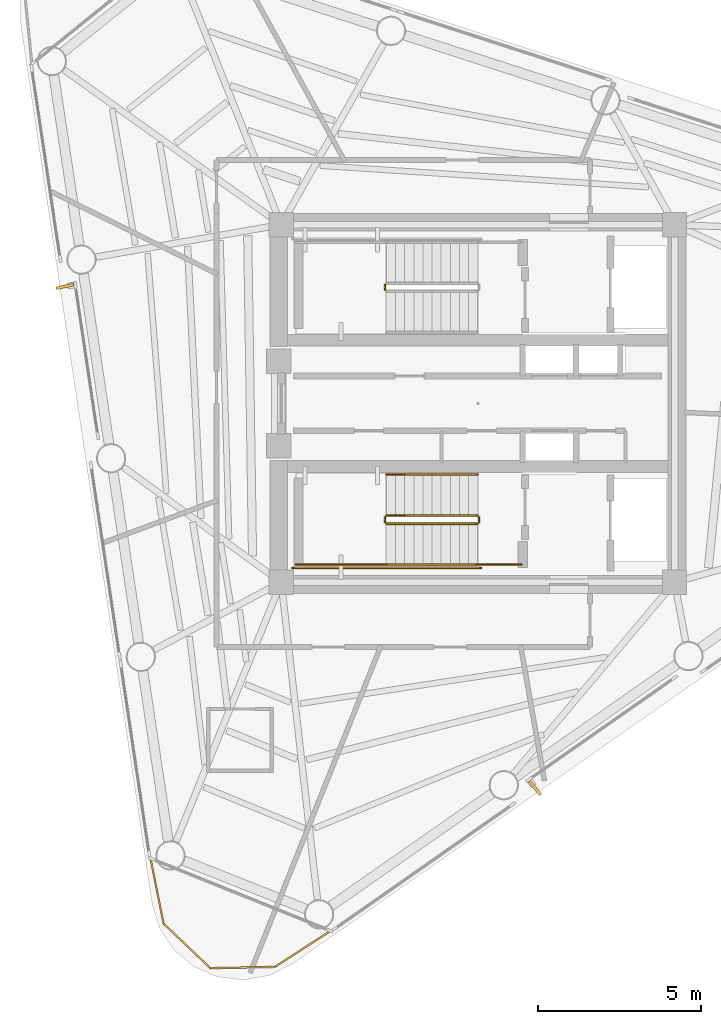
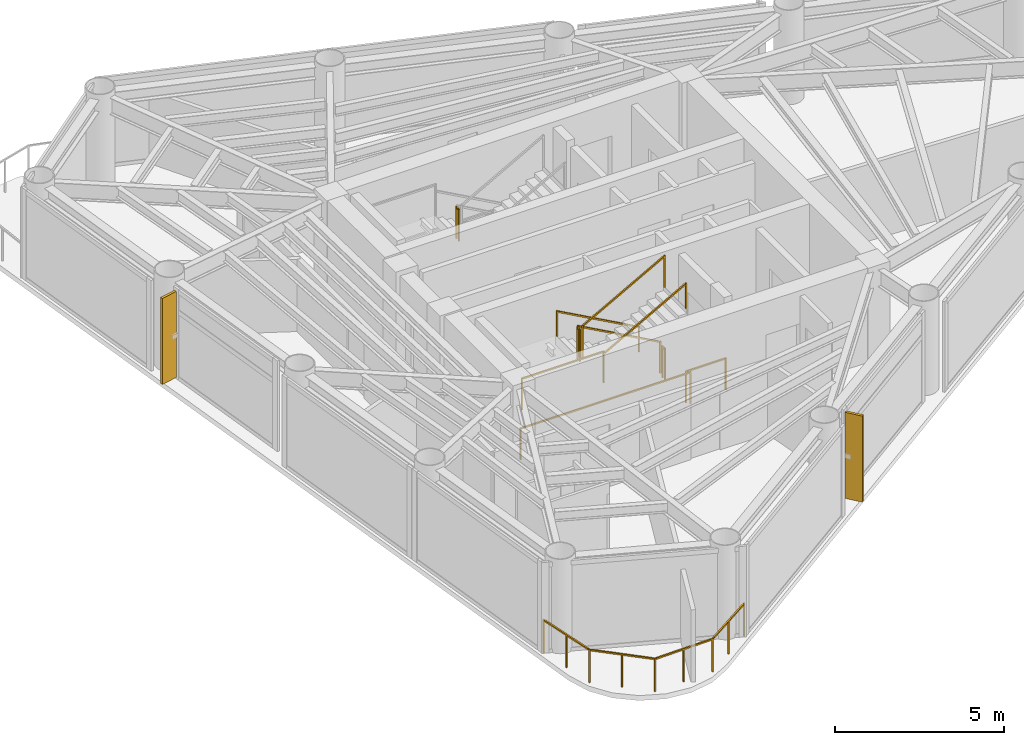
# One storey, part 7 of 9: 11 railings, 2 shading devices.
"""IFC4 building model written with IfcOpenShell, lengths in metres."""

from ifc_helpers import new_model, si_unit, direction, frame, origin, origin_2d, place, context, subcontext, project, spatial, rectangle, extrude, source, transform, mapped, material, material_profile, profile_set, type_object, element, save


model = new_model("IFC4")

# Units and contexts
model_context = context("Model", 3, precision=1e-05, world=origin(), true_north=direction((0.0, 1.0)))
body_context = subcontext(model_context, "Body", "Model", "MODEL_VIEW")
ifc_project = project(units=[si_unit("LENGTHUNIT", "METRE"), si_unit("AREAUNIT", "SQUARE_METRE"), si_unit("VOLUMEUNIT", "CUBIC_METRE"), si_unit("PLANEANGLEUNIT", "RADIAN"), si_unit("MASSUNIT", "GRAM", prefix="KILO")], contexts=[model_context])

# Site, building, storey
site_placement = place(None, origin())
site = spatial("IfcSite", under=ifc_project, at=site_placement, CompositionType="ELEMENT")
building_placement = place(site_placement, origin())
building = spatial("IfcBuilding", under=site, at=building_placement, Name="Yunling Apex Tower", CompositionType="ELEMENT")
storey_placement = place(building_placement, frame((0.0, 0.0, 271.14990234375)))
storey = spatial("IfcBuildingStorey", under=building, at=storey_placement, Name="L66", CompositionType="ELEMENT", Elevation=271.14990234375)

# Railings
ifc_material_1 = material(Name="Bronze anodised aluminium", Category="aluminium")
railing_type_1 = type_object("IfcRailingType", Name="RL-BAL-1200", PredefinedType="BALUSTRADE", material=ifc_material_1)
railing_1_placement = place(storey_placement, frame((-4.528564453125, -16.22509765625, 0.0)))
element("IfcRailing", 1, at=railing_1_placement, inside=storey, type_object=railing_type_1, Name="RL-CRNSILL-L66-3", PredefinedType="BALUSTRADE", context=body_context, shape_type="SweptSolid", body=[
    extrude(rectangle(XDim=0.0439453125, YDim=0.0439453125, at=origin_2d()), origin(), (0.0, 0.0, 1.0), 1.199951171875),
    extrude(rectangle(XDim=0.0439453125, YDim=0.0439453125, at=origin_2d()), frame((-1.718017578125, -1.109130859375, 0.0)), (0.0, 0.0, 1.0), 1.199951171875),
    extrude(rectangle(XDim=0.050048828125, YDim=0.050048828125, at=origin_2d()), frame((-0.0322265625, -0.020751953125, 1.1748046875), z_axis=(-0.840133449473, -0.542379744345, 0.0), x_axis=(0.542379744345, -0.840133449473, 0.0)), (0.0, 0.0, 1.0), 1.96826171875),
    extrude(rectangle(XDim=0.0439453125, YDim=0.0439453125, at=origin_2d()), frame((-0.85888671875, -0.5546875, 0.0)), (0.0, 0.0, 1.0), 1.14599609375),
    extrude(rectangle(XDim=0.0439453125, YDim=0.0439453125, at=origin_2d()), frame((-3.700439453125, -1.147705078125, 0.0)), (0.0, 0.0, 1.0), 1.199951171875),
    extrude(rectangle(XDim=0.050048828125, YDim=0.050048828125, at=origin_2d()), frame((-1.75634765625, -1.10986328125, 1.1748046875), z_axis=(-0.999810744366, -0.019454445518, 0.0), x_axis=(0.019454445518, -0.999810744366, 0.0)), (0.0, 0.0, 1.0), 1.90625),
    extrude(rectangle(XDim=0.0439453125, YDim=0.0439453125, at=origin_2d()), frame((-2.709228515625, -1.12841796875, 0.0)), (0.0, 0.0, 1.0), 1.14599609375),
    extrude(rectangle(XDim=0.0439453125, YDim=0.0439453125, at=origin_2d()), frame((-5.141845703125, 0.223388671875, 0.0)), (0.0, 0.0, 1.0), 1.199951171875),
    extrude(rectangle(XDim=0.050048828125, YDim=0.050048828125, at=origin_2d()), frame((-3.728271484375, -1.121337890625, 1.1748046875), z_axis=(-0.72455806169, 0.689213765998, 0.0), x_axis=(-0.689213765998, -0.72455806169, 0.0)), (0.0, 0.0, 1.0), 1.91259765625),
    extrude(rectangle(XDim=0.0439453125, YDim=0.0439453125, at=origin_2d()), frame((-4.421142578125, -0.462158203125, 0.0)), (0.0, 0.0, 1.0), 1.14599609375),
    extrude(rectangle(XDim=0.0439453125, YDim=0.0439453125, at=origin_2d()), frame((-5.542236328125, 2.228271484375, 0.0)), (0.0, 0.0, 1.0), 1.199951171875),
    extrude(rectangle(XDim=0.050048828125, YDim=0.050048828125, at=origin_2d()), frame((-5.1494140625, 0.260986328125, 1.1748046875), z_axis=(-0.195840554381, 0.980635751571, 0.0), x_axis=(-0.980635751571, -0.195840554381, 0.0)), (0.0, 0.0, 1.0), 1.9677734375),
    extrude(rectangle(XDim=0.0439453125, YDim=0.0439453125, at=origin_2d()), frame((-5.342041015625, 1.225830078125, 0.0)), (0.0, 0.0, 1.0), 1.14599609375),
])
ifc_material_2 = material(Name="Steel Q355B", Category="steel")
railing_type_2 = type_object("IfcRailingType", Name="RL-GRD-1150", PredefinedType="GUARDRAIL", material=ifc_material_2)
railing_2_placement = place(storey_placement, frame((-2.860107421875, 3.64990234375, 1.7001953125)))
element("IfcRailing", 2, at=railing_2_placement, inside=storey, type_object=railing_type_2, Name="L66 ST-1 stair guard 2", PredefinedType="GUARDRAIL", context=body_context, shape_type="SweptSolid", body=[
    extrude(rectangle(XDim=0.0439453125, YDim=0.0439453125, at=origin_2d()), origin(), (0.0, 0.0, 1.0), 1.14990234375),
    extrude(rectangle(XDim=0.0439453125, YDim=0.0439453125, at=origin_2d()), frame((0.0, -0.14990234375, 0.0)), (0.0, 0.0, 1.0), 1.14990234375),
    extrude(rectangle(XDim=0.050048828125, YDim=0.050048828125, at=origin_2d()), frame((0.0, -0.038330078125, 1.125), z_axis=(0.0, -1.0, 0.0), x_axis=(1.0, 0.0, 0.0)), (0.0, 0.0, 1.0), 0.0732421875),
])
railing_3_placement = place(storey_placement, frame((-0.010009765625, -3.449951171875, 0.154541015625)))
element("IfcRailing", 3, at=railing_3_placement, inside=storey, type_object=railing_type_2, Name="L66 ST-2 stair guard 1", PredefinedType="GUARDRAIL", context=body_context, shape_type="SweptSolid", body=[
    extrude(rectangle(XDim=0.0439453125, YDim=0.0439453125, at=origin_2d()), origin(), (0.0, 0.0, 1.0), 1.14990234375),
    extrude(rectangle(XDim=0.0439453125, YDim=0.0439453125, at=origin_2d()), frame((-2.800048828125, 0.0, 1.545654296875)), (0.0, 0.0, 1.0), 1.14990234375),
    extrude(rectangle(XDim=0.050048828125, YDim=0.050048828125, at=origin_2d()), frame((-0.033447265625, 0.0, 1.143310546875), z_axis=(-0.875471895205, 0.0, 0.483269035534), x_axis=(0.0, -1.0, 0.0)), (0.0, 0.0, 1.0), 3.12158203125),
])
railing_4_placement = place(storey_placement, frame((-2.860107421875, -3.5, 1.7001953125)))
element("IfcRailing", 4, at=railing_4_placement, inside=storey, type_object=railing_type_2, Name="L66 ST-2 stair guard 2", PredefinedType="GUARDRAIL", context=body_context, shape_type="SweptSolid", body=[
    extrude(rectangle(XDim=0.0439453125, YDim=0.0439453125, at=origin_2d()), origin(), (0.0, 0.0, 1.0), 1.14990234375),
    extrude(rectangle(XDim=0.0439453125, YDim=0.0439453125, at=origin_2d()), frame((0.0, -0.14990234375, 0.0)), (0.0, 0.0, 1.0), 1.14990234375),
    extrude(rectangle(XDim=0.050048828125, YDim=0.050048828125, at=origin_2d()), frame((0.0, -0.038330078125, 1.125), z_axis=(0.0, -1.0, 0.0), x_axis=(1.0, 0.0, 0.0)), (0.0, 0.0, 1.0), 0.0732421875),
])
railing_5_placement = place(storey_placement, frame((-2.81005859375, -4.9599609375, 1.7001953125)))
element("IfcRailing", 5, at=railing_5_placement, inside=storey, type_object=railing_type_2, Name="L66 ST-2 stair guard 3", PredefinedType="GUARDRAIL", context=body_context, shape_type="SweptSolid", body=[
    extrude(rectangle(XDim=0.0439453125, YDim=0.0439453125, at=origin_2d()), origin(), (0.0, 0.0, 1.0), 1.14990234375),
    extrude(rectangle(XDim=0.0439453125, YDim=0.0439453125, at=origin_2d()), frame((-2.7900390625, 0.0, 0.0)), (0.0, 0.0, 1.0), 1.14990234375),
    extrude(rectangle(XDim=0.050048828125, YDim=0.050048828125, at=origin_2d()), frame((-0.038330078125, 0.0, 1.125), z_axis=(-1.0, 0.0, 0.0), x_axis=(0.0, -1.0, 0.0)), (0.0, 0.0, 1.0), 2.71337890625),
])
railing_6_placement = place(storey_placement, frame((-2.81005859375, -3.699951171875, 1.854736328125)))
element("IfcRailing", 6, at=railing_6_placement, inside=storey, type_object=railing_type_2, Name="L66 ST-2 stair guard 4", PredefinedType="GUARDRAIL", context=body_context, shape_type="SweptSolid", body=[
    extrude(rectangle(XDim=0.0439453125, YDim=0.0439453125, at=origin_2d()), origin(), (0.0, 0.0, 1.0), 1.14990234375),
    extrude(rectangle(XDim=0.0439453125, YDim=0.0439453125, at=origin_2d()), frame((2.800048828125, 0.0, 1.54541015625)), (0.0, 0.0, 1.0), 1.14990234375),
    extrude(rectangle(XDim=0.050048828125, YDim=0.050048828125, at=origin_2d()), frame((0.033447265625, 0.0, 1.143310546875), z_axis=(0.875504190374, 0.0, 0.483210526207), x_axis=(0.0, 1.0, 0.0)), (0.0, 0.0, 1.0), 3.12158203125),
])
railing_7_placement = place(storey_placement, frame((0.0400390625, -3.5, 0.0)))
element("IfcRailing", 7, at=railing_7_placement, inside=storey, type_object=railing_type_2, Name="L66 ST-2 stair guard 5", PredefinedType="GUARDRAIL", context=body_context, shape_type="SweptSolid", body=[
    extrude(rectangle(XDim=0.0439453125, YDim=0.0439453125, at=origin_2d()), origin(), (0.0, 0.0, 1.0), 1.14990234375),
    extrude(rectangle(XDim=0.0439453125, YDim=0.0439453125, at=origin_2d()), frame((0.0, -0.14990234375, 0.0)), (0.0, 0.0, 1.0), 1.14990234375),
    extrude(rectangle(XDim=0.050048828125, YDim=0.050048828125, at=origin_2d()), frame((0.0, -0.038330078125, 1.125), z_axis=(0.0, -1.0, 0.0), x_axis=(1.0, 0.0, 0.0)), (0.0, 0.0, 1.0), 0.0732421875),
])
railing_8_placement = place(storey_placement, frame((1.35009765625, -4.9599609375, 0.0)))
element("IfcRailing", 8, at=railing_8_placement, inside=storey, type_object=railing_type_2, Name="L66 ST-2 stair guard 6", PredefinedType="GUARDRAIL", context=body_context, shape_type="SweptSolid", body=[
    extrude(rectangle(XDim=0.0439453125, YDim=0.0439453125, at=origin_2d()), origin(), (0.0, 0.0, 1.0), 1.14990234375),
    extrude(rectangle(XDim=0.0439453125, YDim=0.0439453125, at=origin_2d()), frame((-1.360107421875, 0.0, 0.0)), (0.0, 0.0, 1.0), 1.14990234375),
    extrude(rectangle(XDim=0.050048828125, YDim=0.050048828125, at=origin_2d()), frame((-0.038330078125, 0.0, 1.125), z_axis=(-1.0, 0.0, 0.0), x_axis=(0.0, -1.0, 0.0)), (0.0, 0.0, 1.0), 1.283447265625),
])
railing_9_placement = place(storey_placement, frame((0.090087890625, -5.06005859375, 0.0)))
element("IfcRailing", 9, at=railing_9_placement, inside=storey, type_object=railing_type_2, Name="L66 ST-2 stair guard 7", PredefinedType="GUARDRAIL", context=body_context, shape_type="SweptSolid", body=[
    extrude(rectangle(XDim=0.0439453125, YDim=0.0439453125, at=origin_2d()), origin(), (0.0, 0.0, 1.0), 1.14990234375),
    extrude(rectangle(XDim=0.0439453125, YDim=0.0439453125, at=origin_2d()), frame((-5.7900390625, 0.0, 0.0)), (0.0, 0.0, 1.0), 1.14990234375),
    extrude(rectangle(XDim=0.050048828125, YDim=0.050048828125, at=origin_2d()), frame((-0.038330078125, 0.0, 1.125), z_axis=(-1.0, 0.0, 0.0), x_axis=(0.0, -1.0, 0.0)), (0.0, 0.0, 1.0), 5.71337890625),
])
ifc_material_3 = material(Name="Silver anodised aluminium", Category="aluminium")
railing_type_3 = type_object("IfcRailingType", Name="RL-HND-900", PredefinedType="HANDRAIL", material=ifc_material_3)
railing_10_placement = place(storey_placement, frame((-0.010009765625, -2.18994140625, 0.154541015625)))
element("IfcRailing", 10, at=railing_10_placement, inside=storey, type_object=railing_type_3, Name="L66 ST-2 stair handrail 1", PredefinedType="HANDRAIL", context=body_context, shape_type="SweptSolid", body=[
    extrude(rectangle(XDim=0.0439453125, YDim=0.0439453125, at=origin_2d()), origin(), (0.0, 0.0, 1.0), 0.919921875),
    extrude(rectangle(XDim=0.0439453125, YDim=0.0439453125, at=origin_2d()), frame((-2.800048828125, 0.0, 1.545654296875)), (0.0, 0.0, 1.0), 0.919921875),
    extrude(rectangle(XDim=0.050048828125, YDim=0.050048828125, at=origin_2d()), frame((-0.033447265625, 0.0, 0.913330078125), z_axis=(-0.875471895205, 0.0, 0.483269035534), x_axis=(0.0, -1.0, 0.0)), (0.0, 0.0, 1.0), 3.12158203125),
])
railing_11_placement = place(storey_placement, frame((-2.81005859375, -4.9599609375, 1.854736328125)))
element("IfcRailing", 11, at=railing_11_placement, inside=storey, type_object=railing_type_3, Name="L66 ST-2 stair handrail 2", PredefinedType="HANDRAIL", context=body_context, shape_type="SweptSolid", body=[
    extrude(rectangle(XDim=0.0439453125, YDim=0.0439453125, at=origin_2d()), origin(), (0.0, 0.0, 1.0), 0.919921875),
    extrude(rectangle(XDim=0.0439453125, YDim=0.0439453125, at=origin_2d()), frame((2.800048828125, 0.0, 1.54541015625)), (0.0, 0.0, 1.0), 0.919921875),
    extrude(rectangle(XDim=0.050048828125, YDim=0.050048828125, at=origin_2d()), frame((0.033447265625, 0.0, 0.913330078125), z_axis=(0.875504190374, 0.0, 0.483210526207), x_axis=(0.0, 1.0, 0.0)), (0.0, 0.0, 1.0), 3.12158203125),
])

# Shading devices
ifc_material_profile = material_profile(ifc_material_1, rectangle(XDim=0.0849609375, YDim=0.550048828125, at=origin_2d()))
ifc_profile_set = profile_set([ifc_material_profile], Name="Bronze anodised aluminium")
shading_device_type = type_object("IfcShadingDeviceType", Name="FN-BRZ-3", PredefinedType="USERDEFINED", material=ifc_profile_set)
shared_shape = source(origin(), body_context, "Body", "SweptSolid", [
    extrude(rectangle(XDim=0.0849609375, YDim=0.550048828125, at=origin_2d()), origin(), (0.0, 0.0, 1.0), 3.10009765625),
])
for number, where, z_axis, x_axis, name in (
    (12, (1.76171875, -11.8330078125, 0.06005859375), (0.0, 0.0, 1.0), (0.780321270022, 0.625378857614, 0.0), "CW-L66-F1-B2-FIN-01"),
    (13, (-12.705322265625, 3.598876953125, 0.06005859375), (0.0, 0.0, 1.0), (0.212177672156, -0.977231106463, 0.0), "CW-L66-F3-B2-FIN-01"),
):
    element("IfcShadingDevice", number, at=place(storey_placement, frame(where, z_axis=z_axis, x_axis=x_axis)), inside=storey, type_object=shading_device_type, Name=name, ObjectType="FIN", PredefinedType="USERDEFINED", context=body_context, shape_type="MappedRepresentation", body=[
        mapped(shared_shape, transform((0.0, 0.0, 0.0), scale=1.0)),
    ])

save(model, "model.ifc")
